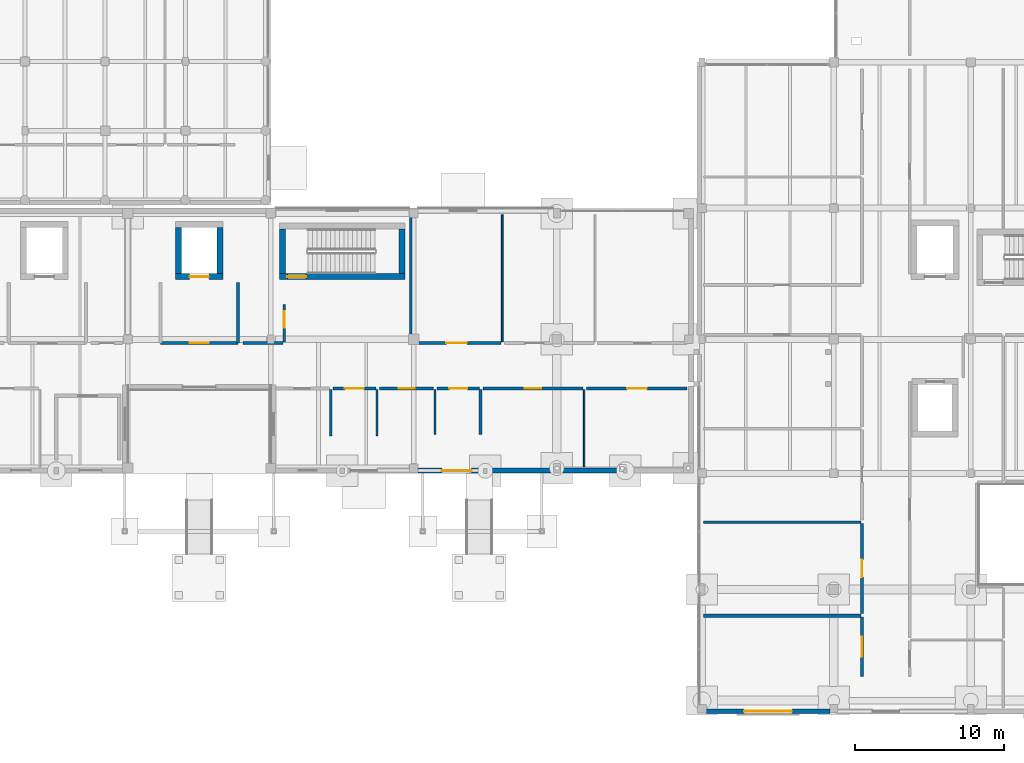
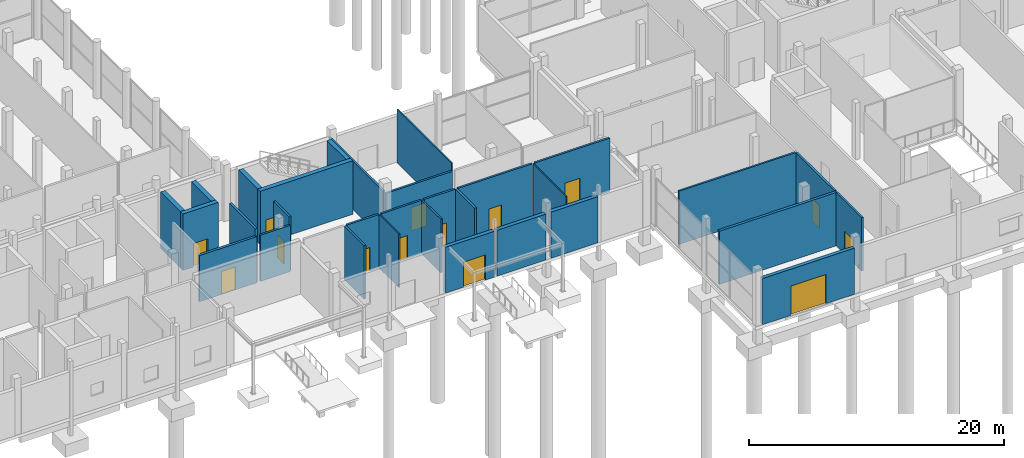
# One storey, part 60 of 88: 31 walls, 14 doors, 14 openings.
"""IFC4 building model written with IfcOpenShell, lengths in metres."""

from ifc_helpers import new_model, si_unit, direction, frame, frame_2d, origin, place, context, subcontext, project, spatial, rectangle, extrude, material, layer, layer_set, type_object, element, fill, save


model = new_model("IFC4")

# Units and contexts
model_context = context("Model", 3, precision=1e-05, world=origin(), true_north=direction((0.0, 1.0)))
body_context = subcontext(model_context, "Body", "Model", "MODEL_VIEW")
ifc_project = project(units=[si_unit("LENGTHUNIT", "METRE"), si_unit("AREAUNIT", "SQUARE_METRE"), si_unit("VOLUMEUNIT", "CUBIC_METRE"), si_unit("PLANEANGLEUNIT", "RADIAN"), si_unit("MASSUNIT", "GRAM", prefix="KILO")], contexts=[model_context])

# Site, building, storey
site_placement = place(None, origin())
site = spatial("IfcSite", under=ifc_project, at=site_placement, CompositionType="ELEMENT")
building_placement = place(site_placement, origin())
building = spatial("IfcBuilding", under=site, at=building_placement, Name="Birchvale Park Specialist Clinic", CompositionType="ELEMENT")
storey_placement = place(building_placement, origin())
storey = spatial("IfcBuildingStorey", under=building, at=storey_placement, Name="L00", CompositionType="ELEMENT", Elevation=0.0)

# Wall, opening, door
ifc_material_1 = material(Name="Concrete C40/50", Category="concrete")
ifc_layer_1 = layer(ifc_material_1, 0.39990234375)
ifc_layer_set_1 = layer_set([ifc_layer_1], Name="Concrete C40/50")
wall_type_1 = type_object("IfcWallType", Name="WL-CW-120", PredefinedType="SHEAR", material=ifc_layer_set_1)
wall_1_placement = place(storey_placement, frame((90.800048828125, 30.0, 0.0), z_axis=(0.0, 0.0, 1.0), x_axis=(1.0, 0.0, 0.0)))
wall_1 = element("IfcWall", 1, at=wall_1_placement, inside=storey, type_object=wall_type_1, Name="L00 stair ST5 EI 120 enclosure wall (south)", PredefinedType="SHEAR", context=body_context, shape_type="SweptSolid", body=[
    extrude(rectangle(XDim=8.39990234375, YDim=0.39990234375, at=frame_2d((4.199951171875, 0.0))), origin(), (0.0, 0.0, 1.0), 5.1201171875),
])
opening_1_placement = place(wall_1_placement, frame((0.52001953125, 0.0, 0.0)))
opening_1 = element("IfcOpeningElement", 2, at=opening_1_placement, cuts=wall_1, Name="Opening ID-FD60", PredefinedType="OPENING", context=body_context, shape_type="SweptSolid", body=[
    extrude(rectangle(XDim=1.25, YDim=2.199951171875, at=frame_2d((0.625, 1.10009765625))), frame((0.0, 0.2099609375, 0.0), z_axis=(0.0, -1.0, 0.0), x_axis=(1.0, 0.0, 0.0)), (0.0, 0.0, 1.0), 0.419921875),
])
ifc_material_2 = material(Name="Solid-core birch veneer and anodised aluminium", Category="aluminium")
door_type_1 = type_object("IfcDoorType", Name="DR-ID-FD60", OperationType="NOTDEFINED", PredefinedType="DOOR", material=ifc_material_2)
door_1_placement = place(opening_1_placement, origin())
door_1 = element("IfcDoor", 3, at=door_1_placement, inside=storey, type_object=door_type_1, Name="L00 stair ST5 fire door", OperationType="SINGLE_SWING_RIGHT", OverallHeight=2.199951171875, OverallWidth=1.25, PredefinedType="DOOR", context=body_context, shape_type="SweptSolid", body=[
    extrude(rectangle(XDim=1.25, YDim=2.199951171875, at=frame_2d((0.625, 1.10009765625))), frame((0.0, 0.02490234375, 0.0), z_axis=(0.0, -1.0, 0.0), x_axis=(1.0, 0.0, 0.0)), (0.0, 0.0, 1.0), 0.050048828125),
])
fill(opening_1, door_1)

# Walls
for number, where, z_axis, x_axis, name in (
    (4, (91.0, 30.199951171875, 0.0), (0.0, 0.0, 1.0), (0.0, 1.0, 0.0), "L00 stair ST5 EI 120 enclosure wall (west)"),
    (5, (99.0, 33.199951171875, 0.0), (0.0, 0.0, 1.0), (0.0, -1.0, 0.0), "L00 stair ST5 EI 120 enclosure wall (east)"),
):
    element("IfcWall", number, at=place(storey_placement, frame(where, z_axis=z_axis, x_axis=x_axis)), inside=storey, type_object=wall_type_1, Name=name, PredefinedType="SHEAR", context=body_context, shape_type="SweptSolid", body=[
        extrude(rectangle(XDim=3.0, YDim=0.39990234375, at=frame_2d((1.5, 0.0))), origin(), (0.0, 0.0, 1.0), 5.1201171875),
    ])

# Wall, opening, door
wall_2_placement = place(storey_placement, frame((83.800048828125, 30.0, 0.0), z_axis=(0.0, 0.0, 1.0), x_axis=(1.0, 0.0, 0.0)))
wall_2 = element("IfcWall", 6, at=wall_2_placement, inside=storey, type_object=wall_type_1, Name="L00 lift LF2 shaft wall (south)", PredefinedType="SHEAR", context=body_context, shape_type="SweptSolid", body=[
    extrude(rectangle(XDim=3.199951171875, YDim=0.39990234375, at=frame_2d((1.60009765625, 0.0))), origin(), (0.0, 0.0, 1.0), 5.39990234375),
])
opening_2_placement = place(wall_2_placement, frame((0.949951171875, 0.0, 0.0)))
opening_2 = element("IfcOpeningElement", 7, at=opening_2_placement, cuts=wall_2, Name="Opening LD-02", PredefinedType="OPENING", context=body_context, shape_type="SweptSolid", body=[
    extrude(rectangle(XDim=1.300048828125, YDim=2.25, at=frame_2d((0.64990234375, 1.125))), frame((0.0, 0.2099609375, 0.0), z_axis=(0.0, -1.0, 0.0), x_axis=(1.0, 0.0, 0.0)), (0.0, 0.0, 1.0), 0.419921875),
])
door_type_2 = type_object("IfcDoorType", Name="DR-LD-02", OperationType="DOUBLE_DOOR_SLIDING", PredefinedType="DOOR", material=ifc_material_2)
door_2_placement = place(opening_2_placement, origin())
door_2 = element("IfcDoor", 8, at=door_2_placement, inside=storey, type_object=door_type_2, Name="L00 lift LF2 sliding landing door", OperationType="DOUBLE_DOOR_SLIDING", OverallHeight=2.25, OverallWidth=1.300048828125, PredefinedType="DOOR", context=body_context, shape_type="SweptSolid", body=[
    extrude(rectangle(XDim=1.300048828125, YDim=2.25, at=frame_2d((0.64990234375, 1.125))), frame((0.0, 0.02490234375, 0.0), z_axis=(0.0, -1.0, 0.0), x_axis=(1.0, 0.0, 0.0)), (0.0, 0.0, 1.0), 0.050048828125),
])
fill(opening_2, door_2)

# Walls
for number, where, z_axis, x_axis, name in (
    (9, (84.0, 30.199951171875, 0.0), (0.0, 0.0, 1.0), (0.0, 1.0, 0.0), "L00 lift LF2 shaft wall (west)"),
    (10, (86.800048828125, 33.300048828125, 0.0), (0.0, 0.0, 1.0), (0.0, -1.0, 0.0), "L00 lift LF2 shaft wall (east)"),
):
    element("IfcWall", number, at=place(storey_placement, frame(where, z_axis=z_axis, x_axis=x_axis)), inside=storey, type_object=wall_type_1, Name=name, PredefinedType="SHEAR", context=body_context, shape_type="SweptSolid", body=[
        extrude(rectangle(XDim=3.10009765625, YDim=0.39990234375, at=frame_2d((1.550048828125, 0.0))), origin(), (0.0, 0.0, 1.0), 5.39990234375),
    ])

# Wall, opening, door
ifc_material_3 = material(Name="Lime-white mineral-rendered insulated masonry", Category="masonry")
ifc_layer_2 = layer(ifc_material_3, 0.340087890625)
ifc_layer_set_2 = layer_set([ifc_layer_2], Name="Lime-white mineral-rendered insulated masonry")
wall_type_2 = type_object("IfcWallType", Name="WL-EW-01", PredefinedType="STANDARD", material=ifc_layer_set_2)
wall_3_placement = place(storey_placement, frame((100.0849609375, 16.989990234375, 0.0), z_axis=(0.0, 0.0, 1.0), x_axis=(1.0, 0.0, 0.0)))
wall_3 = element("IfcWall", 11, at=wall_3_placement, inside=storey, type_object=wall_type_2, Name="V4 L00 exterior facade wall 74", PredefinedType="STANDARD", context=body_context, shape_type="SweptSolid", body=[
    extrude(rectangle(XDim=4.39501953125, YDim=0.340087890625, at=frame_2d((2.197509765625, 0.0))), origin(), (0.0, 0.0, 1.0), 4.385009765625),
])
opening_3_placement = place(wall_3_placement, frame((1.59423828125, 0.0, 0.0)))
opening_3 = element("IfcOpeningElement", 12, at=opening_3_placement, cuts=wall_3, Name="Opening ED-02", PredefinedType="OPENING", context=body_context, shape_type="SweptSolid", body=[
    extrude(rectangle(XDim=2.0, YDim=2.39990234375, at=frame_2d((1.0, 1.199951171875))), frame((0.0, 0.18017578125, 0.0), z_axis=(0.0, -1.0, 0.0), x_axis=(1.0, 0.0, 0.0)), (0.0, 0.0, 1.0), 0.360107421875),
])
ifc_material_4 = material(Name="Powder-coated aluminium and laminated safety glass", Category="aluminium")
door_type_3 = type_object("IfcDoorType", Name="DR-ED-02", OperationType="DOUBLE_DOOR_SINGLE_SWING", PredefinedType="DOOR", material=ifc_material_4)
door_3_placement = place(opening_3_placement, frame((2.0, 0.0, 0.0), z_axis=(0.0, 0.0, 1.0), x_axis=(-1.0, 0.0, 0.0)))
door_3 = element("IfcDoor", 13, at=door_3_placement, inside=storey, type_object=door_type_3, Name="L00 V4 final exit double door 23", OperationType="DOUBLE_DOOR_SINGLE_SWING", OverallHeight=2.39990234375, OverallWidth=2.0, PredefinedType="DOOR", context=body_context, shape_type="SweptSolid", body=[
    extrude(rectangle(XDim=2.0, YDim=2.39990234375, at=frame_2d((1.0, 1.199951171875))), frame((0.0, 0.02490234375, 0.0), z_axis=(0.0, -1.0, 0.0), x_axis=(1.0, 0.0, 0.0)), (0.0, 0.0, 1.0), 0.050048828125),
])
fill(opening_3, door_3)

# Walls
wall_4_placement = place(storey_placement, frame((104.719970703125, 16.989990234375, 0.0), z_axis=(0.0, 0.0, 1.0), x_axis=(1.0, 0.0, 0.0)))
element("IfcWall", 14, at=wall_4_placement, inside=storey, type_object=wall_type_2, Name="V4 L00 exterior facade wall 75", PredefinedType="STANDARD", context=body_context, shape_type="SweptSolid", body=[
    extrude(rectangle(XDim=4.449951171875, YDim=0.340087890625, at=frame_2d((2.22509765625, 0.0))), origin(), (0.0, 0.0, 1.0), 4.385009765625),
])
wall_5_placement = place(storey_placement, frame((109.6298828125, 16.989990234375, 0.0), z_axis=(0.0, 0.0, 1.0), x_axis=(1.0, 0.0, 0.0)))
element("IfcWall", 15, at=wall_5_placement, inside=storey, type_object=wall_type_2, Name="V4 L00 exterior facade wall 76", PredefinedType="STANDARD", context=body_context, shape_type="SweptSolid", body=[
    extrude(rectangle(XDim=4.255126953125, YDim=0.340087890625, at=frame_2d((2.12744140625, 0.0))), origin(), (0.0, 0.0, 1.0), 4.4150390625),
])

# Wall, opening, door
ifc_layer_3 = layer(ifc_material_3, 0.31005859375)
ifc_layer_set_3 = layer_set([ifc_layer_3], Name="Lime-white mineral-rendered insulated masonry")
wall_type_3 = type_object("IfcWallType", Name="WL-EW-02", PredefinedType="STANDARD", material=ifc_layer_set_3)
wall_6_placement = place(storey_placement, frame((119.43505859375, 0.824951171875, 0.0), z_axis=(0.0, 0.0, 1.0), x_axis=(1.0, 0.0, 0.0)))
wall_6 = element("IfcWall", 16, at=wall_6_placement, inside=storey, type_object=wall_type_3, Name="V5 L00 exterior facade wall 89", PredefinedType="STANDARD", context=body_context, shape_type="SweptSolid", body=[
    extrude(rectangle(XDim=8.304931640625, YDim=0.31005859375, at=frame_2d((4.15234375, 0.0))), origin(), (0.0, 0.0, 1.0), 4.419921875),
])
opening_4_placement = place(wall_6_placement, frame((2.552490234375, 0.0, 0.0)))
opening_4 = element("IfcOpeningElement", 17, at=opening_4_placement, cuts=wall_6, Name="Opening SG-02", PredefinedType="OPENING", context=body_context, shape_type="SweptSolid", body=[
    extrude(rectangle(XDim=3.199951171875, YDim=2.800048828125, at=frame_2d((1.60009765625, 1.39990234375))), frame((0.0, 0.1650390625, 0.0), z_axis=(0.0, -1.0, 0.0), x_axis=(1.0, 0.0, 0.0)), (0.0, 0.0, 1.0), 0.330078125),
])
door_type_4 = type_object("IfcDoorType", Name="DR-SG-02", OperationType="DOUBLE_DOOR_SINGLE_SWING", PredefinedType="GATE", material=ifc_material_4)
door_4_placement = place(opening_4_placement, frame((3.199951171875, 0.0, 0.0), z_axis=(0.0, 0.0, 1.0), x_axis=(-1.0, 0.0, 0.0)))
door_4 = element("IfcDoor", 18, at=door_4_placement, inside=storey, type_object=door_type_4, Name="V5 L00 ambulance & sterile service gate 6", OperationType="DOUBLE_DOOR_SINGLE_SWING", OverallHeight=2.800048828125, OverallWidth=3.199951171875, PredefinedType="GATE", context=body_context, shape_type="SweptSolid", body=[
    extrude(rectangle(XDim=3.199951171875, YDim=2.800048828125, at=frame_2d((1.60009765625, 1.39990234375))), frame((0.0, 0.02490234375, 0.0), z_axis=(0.0, -1.0, 0.0), x_axis=(1.0, 0.0, 0.0)), (0.0, 0.0, 1.0), 0.050048828125),
])
fill(opening_4, door_4)

# Walls
ifc_material_5 = material(Name="Acoustic gypsum board on metal framing")
ifc_layer_4 = layer(ifc_material_5, 0.1650390625)
ifc_layer_set_4 = layer_set([ifc_layer_4], Name="Acoustic gypsum board on metal framing")
wall_type_4 = type_object("IfcWallType", Name="WL-IW-01", PredefinedType="PARTITIONING", material=ifc_layer_set_4)
wall_7_placement = place(storey_placement, frame((94.219970703125, 22.419921875, 0.0), z_axis=(0.0, 0.0, 1.0), x_axis=(0.0, -1.0, 0.0)))
element("IfcWall", 19, at=wall_7_placement, inside=storey, type_object=wall_type_4, Name="V4 L00 clinical partition 181", PredefinedType="PARTITIONING", context=body_context, shape_type="SweptSolid", body=[
    extrude(rectangle(XDim=3.099853515625, YDim=0.1650390625, at=frame_2d((1.5498046875, 0.0))), origin(), (0.0, 0.0, 1.0), 5.1201171875),
])
wall_8_placement = place(storey_placement, frame((119.239990234375, 13.514892578125, 0.0), z_axis=(0.0, 0.0, 1.0), x_axis=(1.0, 0.0, 0.0)))
element("IfcWall", 20, at=wall_8_placement, inside=storey, type_object=wall_type_4, Name="V5 L00 clinical partition 209", PredefinedType="PARTITIONING", context=body_context, shape_type="SweptSolid", body=[
    extrude(rectangle(XDim=10.580078125, YDim=0.1650390625, at=frame_2d((5.2900390625, 0.0))), origin(), (0.0, 0.0, 1.0), 5.10009765625),
])
ifc_layer_5 = layer(ifc_material_5, 0.139892578125)
ifc_layer_set_5 = layer_set([ifc_layer_5], Name="Acoustic gypsum board on metal framing")
wall_type_5 = type_object("IfcWallType", Name="WL-IW-03", PredefinedType="PARTITIONING", material=ifc_layer_set_5)
wall_9_placement = place(storey_placement, frame((101.215087890625, 22.419921875, 0.0), z_axis=(0.0, 0.0, 1.0), x_axis=(0.0, -1.0, 0.0)))
element("IfcWall", 21, at=wall_9_placement, inside=storey, type_object=wall_type_5, Name="V4 L00 clinical partition 185", PredefinedType="PARTITIONING", context=body_context, shape_type="SweptSolid", body=[
    extrude(rectangle(XDim=3.0, YDim=0.139892578125, at=frame_2d((1.5, 0.0))), origin(), (0.0, 0.0, 1.0), 5.1201171875),
])
ifc_layer_6 = layer(ifc_material_5, 0.114990234375)
ifc_layer_set_6 = layer_set([ifc_layer_6], Name="Acoustic gypsum board on metal framing")
wall_type_6 = type_object("IfcWallType", Name="WL-IW-05", PredefinedType="PARTITIONING", material=ifc_layer_set_6)
wall_10_placement = place(storey_placement, frame((97.3349609375, 22.419921875, 0.0), z_axis=(0.0, 0.0, 1.0), x_axis=(0.0, -1.0, 0.0)))
element("IfcWall", 22, at=wall_10_placement, inside=storey, type_object=wall_type_6, Name="V4 L00 clinical partition 184", PredefinedType="PARTITIONING", context=body_context, shape_type="SweptSolid", body=[
    extrude(rectangle(XDim=3.099853515625, YDim=0.114990234375, at=frame_2d((1.5498046875, 0.0))), origin(), (0.0, 0.0, 1.0), 5.1201171875),
])
wall_11_placement = place(storey_placement, frame((105.74658203125, 34.159912109375, 0.0), z_axis=(0.0, 0.0, 1.0), x_axis=(0.0, -1.0, 0.0)))
element("IfcWall", 23, at=wall_11_placement, inside=storey, type_object=wall_type_6, Name="V4 L00 clinical partition 201", PredefinedType="PARTITIONING", context=body_context, shape_type="SweptSolid", body=[
    extrude(rectangle(XDim=8.530029296875, YDim=0.114990234375, at=frame_2d((4.26513671875, 0.0))), origin(), (0.0, 0.0, 1.0), 5.1201171875),
])
ifc_layer_7 = layer(ifc_material_5, 0.10009765625)
ifc_layer_set_7 = layer_set([ifc_layer_7], Name="Acoustic gypsum board on metal framing")
wall_type_7 = type_object("IfcWallType", Name="WL-IW-06", PredefinedType="PARTITIONING", material=ifc_layer_set_7)
wall_12_placement = place(storey_placement, frame((111.2451171875, 22.419921875, 0.0), z_axis=(0.0, 0.0, 1.0), x_axis=(0.0, -1.0, 0.0)))
element("IfcWall", 24, at=wall_12_placement, inside=storey, type_object=wall_type_7, Name="V4 L00 clinical partition 190", PredefinedType="PARTITIONING", context=body_context, shape_type="SweptSolid", body=[
    extrude(rectangle(XDim=5.179931640625, YDim=0.10009765625, at=frame_2d((2.58984375, 0.0))), origin(), (0.0, 0.0, 1.0), 5.1201171875),
])
ifc_layer_8 = layer(ifc_material_5, 0.195068359375)
ifc_layer_set_8 = layer_set([ifc_layer_8], Name="Acoustic gypsum board on metal framing")
wall_type_8 = type_object("IfcWallType", Name="WL-IW-07", PredefinedType="PARTITIONING", material=ifc_layer_set_8)
wall_13_placement = place(storey_placement, frame((104.2900390625, 22.419921875, 0.0), z_axis=(0.0, 0.0, 1.0), x_axis=(0.0, -1.0, 0.0)))
element("IfcWall", 25, at=wall_13_placement, inside=storey, type_object=wall_type_8, Name="V4 L00 clinical partition 188", PredefinedType="PARTITIONING", context=body_context, shape_type="SweptSolid", body=[
    extrude(rectangle(XDim=3.0, YDim=0.195068359375, at=frame_2d((1.5, 0.0))), origin(), (0.0, 0.0, 1.0), 5.1201171875),
])
wall_14_placement = place(storey_placement, frame((99.60009765625, 25.6298828125, 0.0), z_axis=(0.0, 0.0, 1.0), x_axis=(0.0, 1.0, 0.0)))
element("IfcWall", 26, at=wall_14_placement, inside=storey, type_object=wall_type_8, Name="V4 L00 clinical partition 203", PredefinedType="PARTITIONING", context=body_context, shape_type="SweptSolid", body=[
    extrude(rectangle(XDim=8.530029296875, YDim=0.195068359375, at=frame_2d((4.26513671875, 0.0))), origin(), (0.0, 0.0, 1.0), 4.60498046875),
])
ifc_layer_9 = layer(ifc_material_5, 0.239990234375)
ifc_layer_set_9 = layer_set([ifc_layer_9], Name="Acoustic gypsum board on metal framing")
wall_type_9 = type_object("IfcWallType", Name="WL-IW-08", PredefinedType="PARTITIONING", material=ifc_layer_set_9)
wall_15_placement = place(storey_placement, frame((119.239990234375, 7.242431640625, 0.0), z_axis=(0.0, 0.0, 1.0), x_axis=(1.0, 0.0, 0.0)))
element("IfcWall", 27, at=wall_15_placement, inside=storey, type_object=wall_type_9, Name="V5 L00 clinical partition 207", PredefinedType="PARTITIONING", context=body_context, shape_type="SweptSolid", body=[
    extrude(rectangle(XDim=10.580078125, YDim=0.239990234375, at=frame_2d((5.2900390625, 0.0))), origin(), (0.0, 0.0, 1.0), 5.10009765625),
])

# Wall, opening, door
ifc_layer_10 = layer(ifc_material_5, 0.219970703125)
ifc_layer_set_10 = layer_set([ifc_layer_10], Name="Acoustic gypsum board on metal framing")
wall_type_10 = type_object("IfcWallType", Name="WL-IW-120", PredefinedType="PARTITIONING", material=ifc_layer_set_10)
wall_16_placement = place(storey_placement, frame((82.800048828125, 25.550048828125, 0.0), z_axis=(0.0, 0.0, 1.0), x_axis=(1.0, 0.0, 0.0)))
wall_16 = element("IfcWall", 28, at=wall_16_placement, inside=storey, type_object=wall_type_10, Name="L00 firefighting lift lobby K5 EI 120 wall (south)", PredefinedType="PARTITIONING", context=body_context, shape_type="SweptSolid", body=[
    extrude(rectangle(XDim=5.199951171875, YDim=0.219970703125, at=frame_2d((2.60009765625, 0.0))), origin(), (0.0, 0.0, 1.0), 4.425048828125),
])
opening_5_placement = place(wall_16_placement, frame((1.97509765625, 0.0, 0.0)))
opening_5 = element("IfcOpeningElement", 29, at=opening_5_placement, cuts=wall_16, Name="Opening ID-FD60", PredefinedType="OPENING", context=body_context, shape_type="SweptSolid", body=[
    extrude(rectangle(XDim=1.25, YDim=2.199951171875, at=frame_2d((0.625, 1.10009765625))), frame((0.0, 0.1201171875, 0.0), z_axis=(0.0, -1.0, 0.0), x_axis=(1.0, 0.0, 0.0)), (0.0, 0.0, 1.0), 0.239990234375),
])
door_5_placement = place(opening_5_placement, origin())
door_5 = element("IfcDoor", 30, at=door_5_placement, inside=storey, type_object=door_type_1, Name="L00 firefighting lobby K5 fire door", OperationType="SINGLE_SWING_RIGHT", OverallHeight=2.199951171875, OverallWidth=1.25, PredefinedType="DOOR", context=body_context, shape_type="SweptSolid", body=[
    extrude(rectangle(XDim=1.25, YDim=2.199951171875, at=frame_2d((0.625, 1.10009765625))), frame((0.0, 0.02490234375, 0.0), z_axis=(0.0, -1.0, 0.0), x_axis=(1.0, 0.0, 0.0)), (0.0, 0.0, 1.0), 0.050048828125),
])
fill(opening_5, door_5)

# Wall
wall_17_placement = place(storey_placement, frame((88.0, 25.550048828125, 0.0), z_axis=(0.0, 0.0, 1.0), x_axis=(0.0, 1.0, 0.0)))
element("IfcWall", 31, at=wall_17_placement, inside=storey, type_object=wall_type_10, Name="L00 firefighting lift lobby K5 EI 120 wall (east)", PredefinedType="PARTITIONING", context=body_context, shape_type="SweptSolid", body=[
    extrude(rectangle(XDim=4.050048828125, YDim=0.219970703125, at=frame_2d((2.02490234375, 0.0))), origin(), (0.0, 0.0, 1.0), 5.1201171875),
])

# Wall, opening, door
ifc_layer_11 = layer(ifc_material_5, 0.179931640625)
ifc_layer_set_11 = layer_set([ifc_layer_11], Name="Acoustic gypsum board on metal framing")
wall_type_11 = type_object("IfcWallType", Name="WL-IW-60", PredefinedType="PARTITIONING", material=ifc_layer_set_11)
wall_18_placement = place(storey_placement, frame((94.3798828125, 22.5, 0.0), z_axis=(0.0, 0.0, 1.0), x_axis=(1.0, 0.0, 0.0)))
wall_18 = element("IfcWall", 32, at=wall_18_placement, inside=storey, type_object=wall_type_11, Name="V4 L00 clinical partition 183", PredefinedType="PARTITIONING", context=body_context, shape_type="SweptSolid", body=[
    extrude(rectangle(XDim=2.875, YDim=0.179931640625, at=frame_2d((1.4375, 0.0))), origin(), (0.0, 0.0, 1.0), 5.1201171875),
])
opening_6_placement = place(wall_18_placement, frame((0.797607421875, 0.0, 0.0)))
opening_6 = element("IfcOpeningElement", 33, at=opening_6_placement, cuts=wall_18, Name="Opening ID-05", PredefinedType="OPENING", context=body_context, shape_type="SweptSolid", body=[
    extrude(rectangle(XDim=1.280029296875, YDim=2.25, at=frame_2d((0.64013671875, 1.125))), frame((0.0, 0.10009765625, 0.0), z_axis=(0.0, -1.0, 0.0), x_axis=(1.0, 0.0, 0.0)), (0.0, 0.0, 1.0), 0.199951171875),
])
door_type_5 = type_object("IfcDoorType", Name="DR-ID-05", OperationType="NOTDEFINED", PredefinedType="DOOR", material=ifc_material_2)
door_6_placement = place(opening_6_placement, origin())
door_6 = element("IfcDoor", 34, at=door_6_placement, inside=storey, type_object=door_type_5, Name="L00 Patient Reception Concourse door", OperationType="SINGLE_SWING_LEFT", OverallHeight=2.25, OverallWidth=1.280029296875, PredefinedType="DOOR", context=body_context, shape_type="SweptSolid", body=[
    extrude(rectangle(XDim=1.280029296875, YDim=2.25, at=frame_2d((0.64013671875, 1.125))), frame((0.0, 0.02490234375, 0.0), z_axis=(0.0, -1.0, 0.0), x_axis=(1.0, 0.0, 0.0)), (0.0, 0.0, 1.0), 0.050048828125),
])
fill(opening_6, door_6)

wall_19_placement = place(storey_placement, frame((97.4951171875, 22.5, 0.0), z_axis=(0.0, 0.0, 1.0), x_axis=(1.0, 0.0, 0.0)))
wall_19 = element("IfcWall", 35, at=wall_19_placement, inside=storey, type_object=wall_type_11, Name="V4 L00 clinical partition 186", PredefinedType="PARTITIONING", context=body_context, shape_type="SweptSolid", body=[
    extrude(rectangle(XDim=3.639892578125, YDim=0.179931640625, at=frame_2d((1.81982421875, 0.0))), origin(), (0.0, 0.0, 1.0), 5.1201171875),
])
opening_7_placement = place(wall_19_placement, frame((1.280029296875, 0.0, 0.0)))
opening_7 = element("IfcOpeningElement", 36, at=opening_7_placement, cuts=wall_19, Name="Opening ID-03", PredefinedType="OPENING", context=body_context, shape_type="SweptSolid", body=[
    extrude(rectangle(XDim=1.080078125, YDim=2.199951171875, at=frame_2d((0.5400390625, 1.10009765625))), frame((0.0, 0.10009765625, 0.0), z_axis=(0.0, -1.0, 0.0), x_axis=(1.0, 0.0, 0.0)), (0.0, 0.0, 1.0), 0.199951171875),
])
door_type_6 = type_object("IfcDoorType", Name="DR-ID-03", OperationType="NOTDEFINED", PredefinedType="DOOR", material=ifc_material_2)
door_7_placement = place(opening_7_placement, origin())
door_7 = element("IfcDoor", 37, at=door_7_placement, inside=storey, type_object=door_type_6, Name="L00 Accessible Staff WC door", OperationType="SINGLE_SWING_RIGHT", OverallHeight=2.199951171875, OverallWidth=1.080078125, PredefinedType="DOOR", context=body_context, shape_type="SweptSolid", body=[
    extrude(rectangle(XDim=1.080078125, YDim=2.199951171875, at=frame_2d((0.5400390625, 1.10009765625))), frame((0.0, 0.02490234375, 0.0), z_axis=(0.0, -1.0, 0.0), x_axis=(1.0, 0.0, 0.0)), (0.0, 0.0, 1.0), 0.050048828125),
])
fill(opening_7, door_7)

wall_20_placement = place(storey_placement, frame((101.375, 22.5, 0.0), z_axis=(0.0, 0.0, 1.0), x_axis=(1.0, 0.0, 0.0)))
wall_20 = element("IfcWall", 38, at=wall_20_placement, inside=storey, type_object=wall_type_11, Name="V4 L00 clinical partition 187", PredefinedType="PARTITIONING", context=body_context, shape_type="SweptSolid", body=[
    extrude(rectangle(XDim=2.8349609375, YDim=0.179931640625, at=frame_2d((1.41748046875, 0.0))), origin(), (0.0, 0.0, 1.0), 5.1201171875),
])
opening_8_placement = place(wall_20_placement, frame((0.8076171875, 0.0, 0.0)))
opening_8 = element("IfcOpeningElement", 39, at=opening_8_placement, cuts=wall_20, Name="Opening ID-10", PredefinedType="OPENING", context=body_context, shape_type="SweptSolid", body=[
    extrude(rectangle(XDim=1.219970703125, YDim=2.179931640625, at=frame_2d((0.60986328125, 1.08984375))), frame((0.0, 0.10009765625, 0.0), z_axis=(0.0, -1.0, 0.0), x_axis=(1.0, 0.0, 0.0)), (0.0, 0.0, 1.0), 0.199951171875),
])
door_type_7 = type_object("IfcDoorType", Name="DR-ID-10", OperationType="NOTDEFINED", PredefinedType="DOOR", material=ifc_material_2)
door_8_placement = place(opening_8_placement, origin())
door_8 = element("IfcDoor", 40, at=door_8_placement, inside=storey, type_object=door_type_7, Name="L00 Patient Reception Concourse door", OperationType="SINGLE_SWING_LEFT", OverallHeight=2.179931640625, OverallWidth=1.219970703125, PredefinedType="DOOR", context=body_context, shape_type="SweptSolid", body=[
    extrude(rectangle(XDim=1.219970703125, YDim=2.179931640625, at=frame_2d((0.60986328125, 1.08984375))), frame((0.0, 0.02490234375, 0.0), z_axis=(0.0, -1.0, 0.0), x_axis=(1.0, 0.0, 0.0)), (0.0, 0.0, 1.0), 0.050048828125),
])
fill(opening_8, door_8)

wall_21_placement = place(storey_placement, frame((104.449951171875, 22.5, 0.0), z_axis=(0.0, 0.0, 1.0), x_axis=(1.0, 0.0, 0.0)))
wall_21 = element("IfcWall", 41, at=wall_21_placement, inside=storey, type_object=wall_type_11, Name="V4 L00 clinical partition 189", PredefinedType="PARTITIONING", context=body_context, shape_type="SweptSolid", body=[
    extrude(rectangle(XDim=6.715087890625, YDim=0.179931640625, at=frame_2d((3.357421875, 0.0))), origin(), (0.0, 0.0, 1.0), 5.1201171875),
])
opening_9_placement = place(wall_21_placement, frame((2.797607421875, 0.0, 0.0)))
opening_9 = element("IfcOpeningElement", 42, at=opening_9_placement, cuts=wall_21, Name="Opening ID-11", PredefinedType="OPENING", context=body_context, shape_type="SweptSolid", body=[
    extrude(rectangle(XDim=1.1201171875, YDim=2.159912109375, at=frame_2d((0.56005859375, 1.080078125))), frame((0.0, 0.10009765625, 0.0), z_axis=(0.0, -1.0, 0.0), x_axis=(1.0, 0.0, 0.0)), (0.0, 0.0, 1.0), 0.199951171875),
])
door_type_8 = type_object("IfcDoorType", Name="DR-ID-11", OperationType="NOTDEFINED", PredefinedType="DOOR", material=ifc_material_2)
door_9_placement = place(opening_9_placement, origin())
door_9 = element("IfcDoor", 43, at=door_9_placement, inside=storey, type_object=door_type_8, Name="L00 Cardiology Examination Clinic door", OperationType="SINGLE_SWING_RIGHT", OverallHeight=2.159912109375, OverallWidth=1.1201171875, PredefinedType="DOOR", context=body_context, shape_type="SweptSolid", body=[
    extrude(rectangle(XDim=1.1201171875, YDim=2.159912109375, at=frame_2d((0.56005859375, 1.080078125))), frame((0.0, 0.02490234375, 0.0), z_axis=(0.0, -1.0, 0.0), x_axis=(1.0, 0.0, 0.0)), (0.0, 0.0, 1.0), 0.050048828125),
])
fill(opening_9, door_9)

wall_22_placement = place(storey_placement, frame((111.405029296875, 22.5, 0.0), z_axis=(0.0, 0.0, 1.0), x_axis=(1.0, 0.0, 0.0)))
wall_22 = element("IfcWall", 44, at=wall_22_placement, inside=storey, type_object=wall_type_11, Name="V4 L00 clinical partition 191", PredefinedType="PARTITIONING", context=body_context, shape_type="SweptSolid", body=[
    extrude(rectangle(XDim=6.7548828125, YDim=0.179931640625, at=frame_2d((3.37744140625, 0.0))), origin(), (0.0, 0.0, 1.0), 5.1201171875),
])
opening_10_placement = place(wall_22_placement, frame((2.717529296875, 0.0, 0.0)))
opening_10 = element("IfcOpeningElement", 45, at=opening_10_placement, cuts=wall_22, Name="Opening ID-12", PredefinedType="OPENING", context=body_context, shape_type="SweptSolid", body=[
    extrude(rectangle(XDim=1.320068359375, YDim=2.219970703125, at=frame_2d((0.66015625, 1.10986328125))), frame((0.0, 0.10009765625, 0.0), z_axis=(0.0, -1.0, 0.0), x_axis=(1.0, 0.0, 0.0)), (0.0, 0.0, 1.0), 0.199951171875),
])
door_type_9 = type_object("IfcDoorType", Name="DR-ID-12", OperationType="NOTDEFINED", PredefinedType="DOOR", material=ifc_material_2)
door_10_placement = place(opening_10_placement, origin())
door_10 = element("IfcDoor", 46, at=door_10_placement, inside=storey, type_object=door_type_9, Name="L00 Multidisciplinary Triage Clinic door", OperationType="SINGLE_SWING_LEFT", OverallHeight=2.219970703125, OverallWidth=1.320068359375, PredefinedType="DOOR", context=body_context, shape_type="SweptSolid", body=[
    extrude(rectangle(XDim=1.320068359375, YDim=2.219970703125, at=frame_2d((0.66015625, 1.10986328125))), frame((0.0, 0.02490234375, 0.0), z_axis=(0.0, -1.0, 0.0), x_axis=(1.0, 0.0, 0.0)), (0.0, 0.0, 1.0), 0.050048828125),
])
fill(opening_10, door_10)

wall_23_placement = place(storey_placement, frame((91.10009765625, 28.1201171875, 0.0), z_axis=(0.0, 0.0, 1.0), x_axis=(0.0, -1.0, 0.0)))
wall_23 = element("IfcWall", 47, at=wall_23_placement, inside=storey, type_object=wall_type_11, Name="V4 L00 clinical partition 199", PredefinedType="PARTITIONING", context=body_context, shape_type="SweptSolid", body=[
    extrude(rectangle(XDim=2.490234375, YDim=0.179931640625, at=frame_2d((1.2451171875, 0.0))), origin(), (0.0, 0.0, 1.0), 5.1201171875),
])
opening_11_placement = place(wall_23_placement, frame((0.455078125, 0.0, 0.0)))
opening_11 = element("IfcOpeningElement", 48, at=opening_11_placement, cuts=wall_23, Name="Opening ID-03", PredefinedType="OPENING", context=body_context, shape_type="SweptSolid", body=[
    extrude(rectangle(XDim=1.080078125, YDim=2.199951171875, at=frame_2d((0.5400390625, 1.10009765625))), frame((0.0, 0.10009765625, 0.0), z_axis=(0.0, -1.0, 0.0), x_axis=(1.0, 0.0, 0.0)), (0.0, 0.0, 1.0), 0.199951171875),
])
door_11_placement = place(opening_11_placement, origin())
door_11 = element("IfcDoor", 49, at=door_11_placement, inside=storey, type_object=door_type_6, Name="L00 Accessible Patient WC door", OperationType="SINGLE_SWING_RIGHT", OverallHeight=2.199951171875, OverallWidth=1.080078125, PredefinedType="DOOR", context=body_context, shape_type="SweptSolid", body=[
    extrude(rectangle(XDim=1.080078125, YDim=2.199951171875, at=frame_2d((0.5400390625, 1.10009765625))), frame((0.0, 0.02490234375, 0.0), z_axis=(0.0, -1.0, 0.0), x_axis=(1.0, 0.0, 0.0)), (0.0, 0.0, 1.0), 0.050048828125),
])
fill(opening_11, door_11)

# Wall
wall_24_placement = place(storey_placement, frame((91.02001953125, 25.550048828125, 0.0), z_axis=(0.0, 0.0, 1.0), x_axis=(-1.0, 0.0, 0.0)))
element("IfcWall", 50, at=wall_24_placement, inside=storey, type_object=wall_type_11, Name="V4 L00 clinical partition 200", PredefinedType="PARTITIONING", context=body_context, shape_type="SweptSolid", body=[
    extrude(rectangle(XDim=2.699951171875, YDim=0.179931640625, at=frame_2d((1.35009765625, 0.0))), origin(), (0.0, 0.0, 1.0), 4.425048828125),
])

# Wall, opening, door
wall_25_placement = place(storey_placement, frame((105.666748046875, 25.550048828125, 0.0), z_axis=(0.0, 0.0, 1.0), x_axis=(-1.0, 0.0, 0.0)))
wall_25 = element("IfcWall", 51, at=wall_25_placement, inside=storey, type_object=wall_type_11, Name="V4 L00 clinical partition 202", PredefinedType="PARTITIONING", context=body_context, shape_type="SweptSolid", body=[
    extrude(rectangle(XDim=5.98681640625, YDim=0.179931640625, at=frame_2d((2.993408203125, 0.0))), origin(), (0.0, 0.0, 1.0), 4.455078125),
])
opening_12_placement = place(wall_25_placement, frame((2.30322265625, 0.0, 0.0)))
opening_12 = element("IfcOpeningElement", 52, at=opening_12_placement, cuts=wall_25, Name="Opening ID-06", PredefinedType="OPENING", context=body_context, shape_type="SweptSolid", body=[
    extrude(rectangle(XDim=1.3798828125, YDim=2.25, at=frame_2d((0.68994140625, 1.125))), frame((0.0, 0.10009765625, 0.0), z_axis=(0.0, -1.0, 0.0), x_axis=(1.0, 0.0, 0.0)), (0.0, 0.0, 1.0), 0.199951171875),
])
door_type_10 = type_object("IfcDoorType", Name="DR-ID-06", OperationType="NOTDEFINED", PredefinedType="DOOR", material=ifc_material_2)
door_12_placement = place(opening_12_placement, origin())
door_12 = element("IfcDoor", 53, at=door_12_placement, inside=storey, type_object=door_type_10, Name="L00 Patient Reception Concourse door", OperationType="SINGLE_SWING_LEFT", OverallHeight=2.25, OverallWidth=1.3798828125, PredefinedType="DOOR", context=body_context, shape_type="SweptSolid", body=[
    extrude(rectangle(XDim=1.3798828125, YDim=2.25, at=frame_2d((0.68994140625, 1.125))), frame((0.0, 0.02490234375, 0.0), z_axis=(0.0, -1.0, 0.0), x_axis=(1.0, 0.0, 0.0)), (0.0, 0.0, 1.0), 0.050048828125),
])
fill(opening_12, door_12)

wall_26_placement = place(storey_placement, frame((129.89990234375, 7.16259765625, 0.0), z_axis=(0.0, 0.0, 1.0), x_axis=(0.0, -1.0, 0.0)))
wall_26 = element("IfcWall", 54, at=wall_26_placement, inside=storey, type_object=wall_type_11, Name="V5 L00 clinical partition 208", PredefinedType="PARTITIONING", context=body_context, shape_type="SweptSolid", body=[
    extrude(rectangle(XDim=4.007568359375, YDim=0.179931640625, at=frame_2d((2.00390625, 0.0))), origin(), (0.0, 0.0, 1.0), 5.10009765625),
])
opening_13_placement = place(wall_26_placement, frame((1.328857421875, 0.0, 0.0)))
opening_13 = element("IfcOpeningElement", 55, at=opening_13_placement, cuts=wall_26, Name="Opening ID-FD30", PredefinedType="OPENING", context=body_context, shape_type="SweptSolid", body=[
    extrude(rectangle(XDim=1.35009765625, YDim=2.199951171875, at=frame_2d((0.675048828125, 1.10009765625))), frame((0.0, 0.10009765625, 0.0), z_axis=(0.0, -1.0, 0.0), x_axis=(1.0, 0.0, 0.0)), (0.0, 0.0, 1.0), 0.199951171875),
])
door_type_11 = type_object("IfcDoorType", Name="DR-ID-FD30", OperationType="NOTDEFINED", PredefinedType="DOOR", material=ifc_material_2)
door_13_placement = place(opening_13_placement, origin())
door_13 = element("IfcDoor", 56, at=door_13_placement, inside=storey, type_object=door_type_11, Name="L00 Outpatient Pharmacy Dispensary door", OperationType="SINGLE_SWING_RIGHT", OverallHeight=2.199951171875, OverallWidth=1.35009765625, PredefinedType="DOOR", context=body_context, shape_type="SweptSolid", body=[
    extrude(rectangle(XDim=1.35009765625, YDim=2.199951171875, at=frame_2d((0.675048828125, 1.10009765625))), frame((0.0, 0.02490234375, 0.0), z_axis=(0.0, -1.0, 0.0), x_axis=(1.0, 0.0, 0.0)), (0.0, 0.0, 1.0), 0.050048828125),
])
fill(opening_13, door_13)

wall_27_placement = place(storey_placement, frame((129.89990234375, 13.43505859375, 0.0), z_axis=(0.0, 0.0, 1.0), x_axis=(0.0, -1.0, 0.0)))
wall_27 = element("IfcWall", 57, at=wall_27_placement, inside=storey, type_object=wall_type_11, Name="V5 L00 clinical partition 210", PredefinedType="PARTITIONING", context=body_context, shape_type="SweptSolid", body=[
    extrude(rectangle(XDim=6.032470703125, YDim=0.179931640625, at=frame_2d((3.01611328125, 0.0))), origin(), (0.0, 0.0, 1.0), 5.10009765625),
])
opening_14_placement = place(wall_27_placement, frame((2.42626953125, 0.0, 0.0)))
opening_14 = element("IfcOpeningElement", 58, at=opening_14_placement, cuts=wall_27, Name="Opening ID-ST60", PredefinedType="OPENING", context=body_context, shape_type="SweptSolid", body=[
    extrude(rectangle(XDim=1.179931640625, YDim=2.179931640625, at=frame_2d((0.58984375, 1.08984375))), frame((0.0, 0.10009765625, 0.0), z_axis=(0.0, -1.0, 0.0), x_axis=(1.0, 0.0, 0.0)), (0.0, 0.0, 1.0), 0.199951171875),
])
door_type_12 = type_object("IfcDoorType", Name="DR-ID-ST60", OperationType="NOTDEFINED", PredefinedType="DOOR", material=ifc_material_2)
door_14_placement = place(opening_14_placement, origin())
door_14 = element("IfcDoor", 59, at=door_14_placement, inside=storey, type_object=door_type_12, Name="L00 Patient Medication Counselling Room door", OperationType="SINGLE_SWING_LEFT", OverallHeight=2.179931640625, OverallWidth=1.179931640625, PredefinedType="DOOR", context=body_context, shape_type="SweptSolid", body=[
    extrude(rectangle(XDim=1.179931640625, YDim=2.179931640625, at=frame_2d((0.58984375, 1.08984375))), frame((0.0, 0.02490234375, 0.0), z_axis=(0.0, -1.0, 0.0), x_axis=(1.0, 0.0, 0.0)), (0.0, 0.0, 1.0), 0.050048828125),
])
fill(opening_14, door_14)

save(model, "model.ifc")
